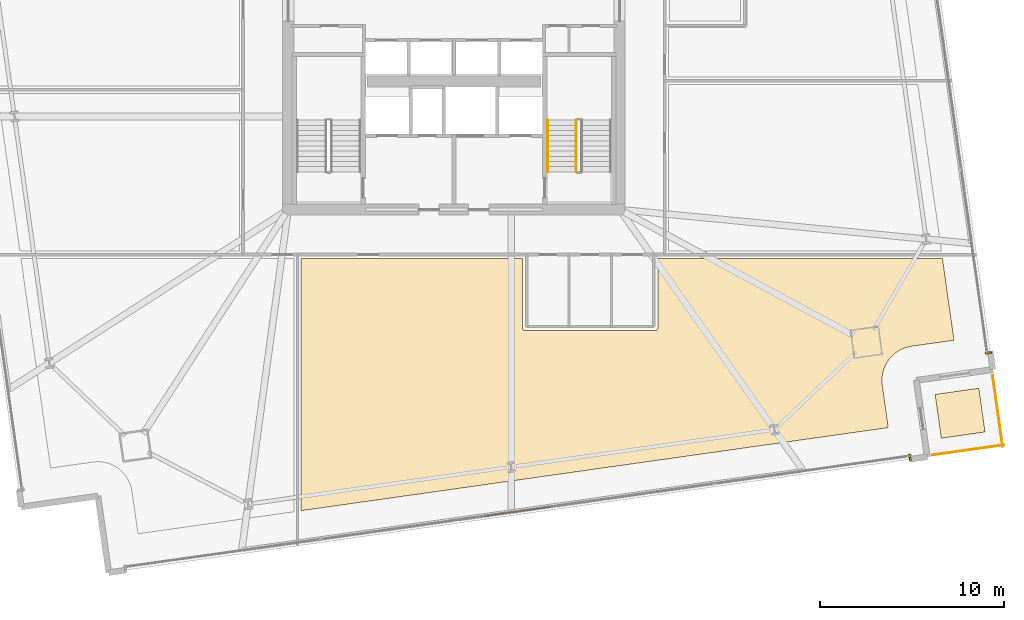
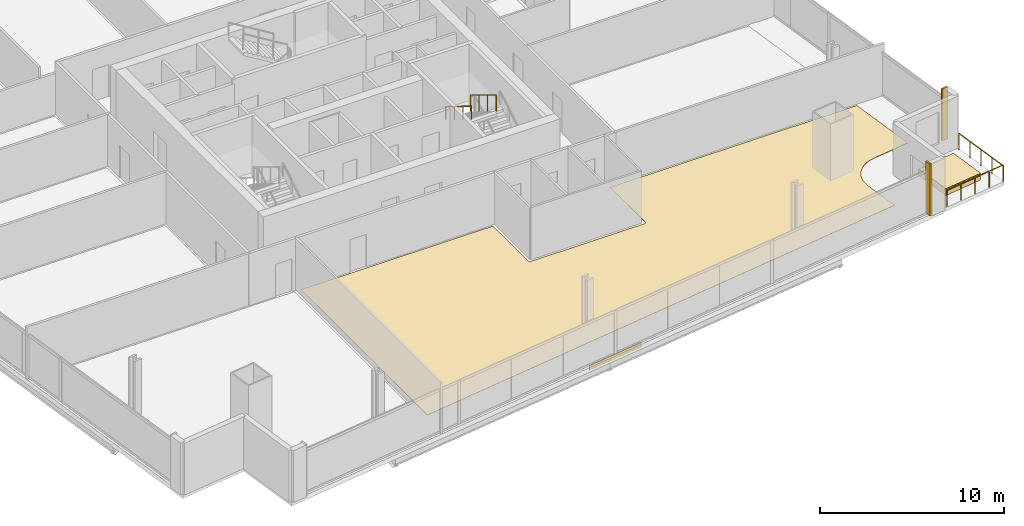
# One storey, part 30 of 33: 5 coverings, 4 railings.
"""IFC4 building model written with IfcOpenShell, lengths in metres."""

from ifc_helpers import new_model, si_unit, direction, frame, origin, origin_2d, place, context, subcontext, project, spatial, polyline, rectangle, outline, extrude, source, transform, mapped, material, layer, layer_set, type_object, element, save


model = new_model("IFC4")

# Units and contexts
model_context = context("Model", 3, precision=1e-05, world=origin(), true_north=direction((0.0, 1.0)))
body_context = subcontext(model_context, "Body", "Model", "MODEL_VIEW")
ifc_project = project(units=[si_unit("LENGTHUNIT", "METRE"), si_unit("AREAUNIT", "SQUARE_METRE"), si_unit("VOLUMEUNIT", "CUBIC_METRE"), si_unit("PLANEANGLEUNIT", "RADIAN"), si_unit("MASSUNIT", "GRAM", prefix="KILO")], contexts=[model_context])

# Site, building, storey
site_placement = place(None, origin())
site = spatial("IfcSite", under=ifc_project, at=site_placement, CompositionType="ELEMENT")
building_placement = place(site_placement, origin())
building = spatial("IfcBuilding", under=site, at=building_placement, Name="Haldenkirk Collegiate Tower", CompositionType="ELEMENT")
storey_placement = place(building_placement, frame((0.0, 0.0, 55.199951171875)))
storey = spatial("IfcBuildingStorey", under=building, at=storey_placement, Name="L12", CompositionType="ELEMENT", Elevation=55.199951171875)

# Coverings
ifc_material_1 = material(Name="Engineered collegiate oak acoustic flooring", Category="wood")
ifc_layer_1 = layer(ifc_material_1, 0.02197265625)
ifc_layer_set_1 = layer_set([ifc_layer_1], Name="Engineered collegiate oak acoustic flooring")
covering_type_1 = type_object("IfcCoveringType", Name="COV-FLOOR-TIMBER", PredefinedType="FLOORING", material=ifc_layer_set_1)
covering_1_placement = place(storey_placement, origin())
element("IfcCovering", 1, at=covering_1_placement, inside=storey, type_object=covering_type_1, Name="L12 academic room finish 03", PredefinedType="FLOORING", context=body_context, shape_type="SweptSolid", body=[
    extrude(outline(polyline([(39.72998046875, 11.550048828125), (39.730712890625, 11.5380859375), (39.732421875, 11.526611328125), (39.735107421875, 11.51513671875), (39.739013671875, 11.504150390625), (39.744140625, 11.493408203125), (39.750244140625, 11.4833984375), (39.757080078125, 11.473876953125), (39.76513671875, 11.465087890625), (39.77392578125, 11.457275390625), (39.783203125, 11.4501953125), (39.79345703125, 11.444091796875), (39.80419921875, 11.439208984375), (39.815185546875, 11.435302734375), (39.82666015625, 11.432373046875), (39.838134765625, 11.4306640625), (39.85009765625, 11.429931640625), (46.949951171875, 11.429931640625), (46.9619140625, 11.4306640625), (46.973388671875, 11.432373046875), (46.98486328125, 11.435302734375), (46.995849609375, 11.439208984375), (47.006591796875, 11.444091796875), (47.0166015625, 11.4501953125), (47.026123046875, 11.457275390625), (47.034912109375, 11.465087890625), (47.042724609375, 11.473876953125), (47.0498046875, 11.4833984375), (47.055908203125, 11.493408203125), (47.060791015625, 11.504150390625), (47.064697265625, 11.51513671875), (47.067626953125, 11.526611328125), (47.0693359375, 11.5380859375), (47.070068359375, 11.550048828125), (47.070068359375, 15.35009765625), (62.532958984375, 15.35009765625), (63.162353515625, 10.89990234375), (60.855224609375, 10.57373046875), (60.849609375, 10.57275390625), (60.680908203125, 10.540283203125), (60.66943359375, 10.53759765625), (60.504638671875, 10.489013671875), (60.493408203125, 10.485107421875), (60.33447265625, 10.42041015625), (60.32373046875, 10.415283203125), (60.171875, 10.33544921875), (60.16162109375, 10.329345703125), (60.018310546875, 10.23486328125), (60.0087890625, 10.22802734375), (59.875244140625, 10.1201171875), (59.866455078125, 10.112060546875), (59.744140625, 9.991455078125), (59.736083984375, 9.98291015625), (59.626220703125, 9.850830078125), (59.619384765625, 9.84130859375), (59.52294921875, 9.69921875), (59.516845703125, 9.689208984375), (59.434814453125, 9.538330078125), (59.4296875, 9.527587890625), (59.36279296875, 9.369384765625), (59.35888671875, 9.3583984375), (59.307861328125, 9.1943359375), (59.304931640625, 9.18310546875), (59.270263671875, 9.014892578125), (59.2685546875, 9.003173828125), (59.25048828125, 8.83251953125), (59.249755859375, 8.820556640625), (59.248779296875, 8.64892578125), (59.249267578125, 8.63720703125), (59.264892578125, 8.46630859375), (59.265380859375, 8.460205078125), (59.591796875, 6.1533203125), (27.699951171875, 1.642578125), (27.699951171875, 15.35009765625), (39.72998046875, 15.35009765625), (39.72998046875, 11.550048828125)])), origin(), (0.0, 0.0, 1.0), 0.02197265625),
])
ifc_material_2 = material(Name="Precast concrete f'c 40 MPa", Category="concrete")
ifc_layer_2 = layer(ifc_material_2, 0.449951171875)
ifc_layer_set_2 = layer_set([ifc_layer_2], Name="Precast concrete f'c 40 MPa")
covering_type_2 = type_object("IfcCoveringType", Name="COV-PLANTER-450", PredefinedType="USERDEFINED", material=ifc_layer_set_2)
covering_2_placement = place(storey_placement, origin())
element("IfcCovering", 2, at=covering_2_placement, inside=storey, type_object=covering_type_2, Name="L12 planted garden planter bed", ObjectType="PLANTER", PredefinedType="USERDEFINED", context=body_context, shape_type="SweptSolid", body=[
    extrude(outline(polyline([(62.47021484375, 5.580810546875), (62.13427734375, 7.95703125), (64.510498046875, 8.29296875), (64.8466796875, 5.916748046875), (62.47021484375, 5.580810546875)])), origin(), (0.0, 0.0, 1.0), 0.449951171875),
])

# Railings
ifc_material_3 = material(Name="Painted architectural tubular steel", Category="steel")
railing_type_1 = type_object("IfcRailingType", Name="RLG-STAIR-GUARD-1100", PredefinedType="BALUSTRADE", material=ifc_material_3)
railing_1_placement = place(storey_placement, frame((42.64990234375, 22.85009765625, 2.04541015625)))
element("IfcRailing", 3, at=railing_1_placement, inside=storey, type_object=railing_type_1, Name="L12 ST-2 stair guard 3", PredefinedType="BALUSTRADE", context=body_context, shape_type="SweptSolid", body=[
    extrude(rectangle(XDim=0.048095703125, YDim=0.048095703125, at=origin_2d()), frame((0.0, 0.0, 1.076171875), z_axis=(0.0, -0.854169791009, 0.51999420009), x_axis=(1.0, 0.0, 0.0)), (0.0, 0.0, 1.0), 3.278076171875),
    extrude(rectangle(XDim=0.0419921875, YDim=0.0419921875, at=origin_2d()), origin(), (0.0, 0.0, 1.0), 1.052001953125),
    extrude(rectangle(XDim=0.0419921875, YDim=0.0419921875, at=origin_2d()), frame((0.0, -0.933349609375, 0.568115234375)), (0.0, 0.0, 1.0), 1.052001953125),
    extrude(rectangle(XDim=0.0419921875, YDim=0.0419921875, at=origin_2d()), frame((0.0, -1.86669921875, 1.136474609375)), (0.0, 0.0, 1.0), 1.052001953125),
    extrude(rectangle(XDim=0.0419921875, YDim=0.0419921875, at=origin_2d()), frame((0.0, -2.800048828125, 1.70458984375)), (0.0, 0.0, 1.0), 1.052001953125),
])
railing_type_2 = type_object("IfcRailingType", Name="RLG-STAIR-HANDRAIL-900", PredefinedType="HANDRAIL", material=ifc_material_3)
railing_2_placement = place(storey_placement, frame((41.10009765625, 22.85009765625, 2.04541015625)))
element("IfcRailing", 4, at=railing_2_placement, inside=storey, type_object=railing_type_2, Name="L12 ST-2 stair handrail 2", PredefinedType="HANDRAIL", context=body_context, shape_type="SweptSolid", body=[
    extrude(rectangle(XDim=0.048095703125, YDim=0.048095703125, at=origin_2d()), frame((0.0, 0.0, 0.8759765625), z_axis=(0.0, -0.854169791009, 0.51999420009), x_axis=(1.0, 0.0, 0.0)), (0.0, 0.0, 1.0), 3.278076171875),
    extrude(rectangle(XDim=0.0419921875, YDim=0.0419921875, at=origin_2d()), origin(), (0.0, 0.0, 1.0), 0.851806640625),
    extrude(rectangle(XDim=0.0419921875, YDim=0.0419921875, at=origin_2d()), frame((0.0, -0.933349609375, 0.568115234375)), (0.0, 0.0, 1.0), 0.851806640625),
    extrude(rectangle(XDim=0.0419921875, YDim=0.0419921875, at=origin_2d()), frame((0.0, -1.86669921875, 1.136474609375)), (0.0, 0.0, 1.0), 0.851806640625),
    extrude(rectangle(XDim=0.0419921875, YDim=0.0419921875, at=origin_2d()), frame((0.0, -2.800048828125, 1.70458984375)), (0.0, 0.0, 1.0), 0.851806640625),
])
ifc_material_4 = material(Name="Anodised architectural bronze aluminium", Category="aluminium")
railing_type_3 = type_object("IfcRailingType", Name="RLG-TERR-BALUSTRADE-1100", PredefinedType="BALUSTRADE", material=ifc_material_4)
railing_3_placement = place(storey_placement, frame((62.013671875, 4.667724609375, 0.0)))
element("IfcRailing", 5, at=railing_3_placement, inside=storey, type_object=railing_type_3, Name="L12 terrace guard balustrade 1-1", PredefinedType="BALUSTRADE", context=body_context, shape_type="SweptSolid", body=[
    extrude(rectangle(XDim=0.048095703125, YDim=0.048095703125, at=origin_2d()), frame((0.0, 0.0, 1.076171875), z_axis=(0.990151088683, 0.140002934184, 0.0), x_axis=(-0.140002934184, 0.990151088683, 0.0)), (0.0, 0.0, 1.0), 3.880126953125),
    extrude(rectangle(XDim=0.0419921875, YDim=0.0419921875, at=origin_2d()), origin(), (0.0, 0.0, 1.0), 1.052001953125),
    extrude(rectangle(XDim=0.0419921875, YDim=0.0419921875, at=origin_2d()), frame((0.96044921875, 0.1357421875, 0.0)), (0.0, 0.0, 1.0), 1.052001953125),
    extrude(rectangle(XDim=0.0419921875, YDim=0.0419921875, at=origin_2d()), frame((1.9208984375, 0.271484375, 0.0)), (0.0, 0.0, 1.0), 1.052001953125),
    extrude(rectangle(XDim=0.0419921875, YDim=0.0419921875, at=origin_2d()), frame((2.88134765625, 0.407470703125, 0.0)), (0.0, 0.0, 1.0), 1.052001953125),
    extrude(rectangle(XDim=0.0419921875, YDim=0.0419921875, at=origin_2d()), frame((3.841796875, 0.543212890625, 0.0)), (0.0, 0.0, 1.0), 1.052001953125),
])
railing_4_placement = place(storey_placement, frame((65.804443359375, 5.143310546875, 0.0)))
element("IfcRailing", 6, at=railing_4_placement, inside=storey, type_object=railing_type_3, Name="L12 terrace guard balustrade 2-1", PredefinedType="BALUSTRADE", context=body_context, shape_type="SweptSolid", body=[
    extrude(rectangle(XDim=0.048095703125, YDim=0.048095703125, at=origin_2d()), frame((0.0, 0.0, 1.076171875), z_axis=(-0.1400646227, 0.990142364243, 0.0), x_axis=(-0.990142364243, -0.1400646227, 0.0)), (0.0, 0.0, 1.0), 3.880126953125),
    extrude(rectangle(XDim=0.0419921875, YDim=0.0419921875, at=origin_2d()), origin(), (0.0, 0.0, 1.0), 1.052001953125),
    extrude(rectangle(XDim=0.0419921875, YDim=0.0419921875, at=origin_2d()), frame((-0.1357421875, 0.96044921875, 0.0)), (0.0, 0.0, 1.0), 1.052001953125),
    extrude(rectangle(XDim=0.0419921875, YDim=0.0419921875, at=origin_2d()), frame((-0.271728515625, 1.9208984375, 0.0)), (0.0, 0.0, 1.0), 1.052001953125),
    extrude(rectangle(XDim=0.0419921875, YDim=0.0419921875, at=origin_2d()), frame((-0.40771484375, 2.88134765625, 0.0)), (0.0, 0.0, 1.0), 1.052001953125),
    extrude(rectangle(XDim=0.0419921875, YDim=0.0419921875, at=origin_2d()), frame((-0.54345703125, 3.841796875, 0.0)), (0.0, 0.0, 1.0), 1.052001953125),
])

# Coverings
ifc_layer_3 = layer(ifc_material_4, 0.06005859375)
ifc_layer_set_3 = layer_set([ifc_layer_3], Name="Anodised architectural bronze aluminium")
covering_type_3 = type_object("IfcCoveringType", Name="COV-CLAD-BRONZE-60", PredefinedType="CLADDING", material=ifc_layer_set_3)
shared_shape_1 = source(origin(), body_context, "Body", "SweptSolid", [
    extrude(rectangle(XDim=3.60009765625, YDim=0.06005859375, at=origin_2d()), origin(), (0.0, 0.0, 1.0), 0.300048828125),
])
covering_3_placement = place(storey_placement, frame((39.451171875, 1.597900390625, -0.2998046875), z_axis=(0.0, 0.0, 1.0), x_axis=(-0.990146240249, -0.140037219771, 0.0)))
element("IfcCovering", 7, at=covering_3_placement, inside=storey, type_object=covering_type_3, Name="L12 architectural bronze spandrel cladding S", PredefinedType="CLADDING", context=body_context, shape_type="MappedRepresentation", body=[
    mapped(shared_shape_1, transform((0.0, 0.0, 0.0), x_axis=(1.0, 0.0, 0.0), y_axis=(0.0, 1.0, 0.0), z_axis=(0.0, 0.0, 1.0), scale=1.0)),
])
shared_shape_2 = source(origin(), body_context, "Body", "SweptSolid", [
    extrude(rectangle(XDim=0.10009765625, YDim=0.3798828125, at=origin_2d()), origin(), (0.0, 0.0, 1.0), 3.43994140625),
])
for number, where, z_axis, x_axis, name in (
    (8, (60.771728515625, 4.5224609375, 0.0), (0.0, 0.0, 1.0), (-0.990146240249, -0.140037219771, 0.0), "L12 recessed curtain-wall bronze jamb closure SJL"),
    (9, (65.056396484375, 10.218505859375, 0.0), (0.0, 0.0, 1.0), (0.140037219771, -0.990146240249, 0.0), "L12 recessed curtain-wall bronze jamb closure EJR"),
):
    element("IfcCovering", number, at=place(storey_placement, frame(where, z_axis=z_axis, x_axis=x_axis)), inside=storey, type_object=covering_type_3, Name=name, PredefinedType="CLADDING", context=body_context, shape_type="MappedRepresentation", body=[
        mapped(shared_shape_2, transform((0.0, 0.0, 0.0), x_axis=(1.0, 0.0, 0.0), y_axis=(0.0, 1.0, 0.0), z_axis=(0.0, 0.0, 1.0), scale=1.0)),
    ])

save(model, "model.ifc")
